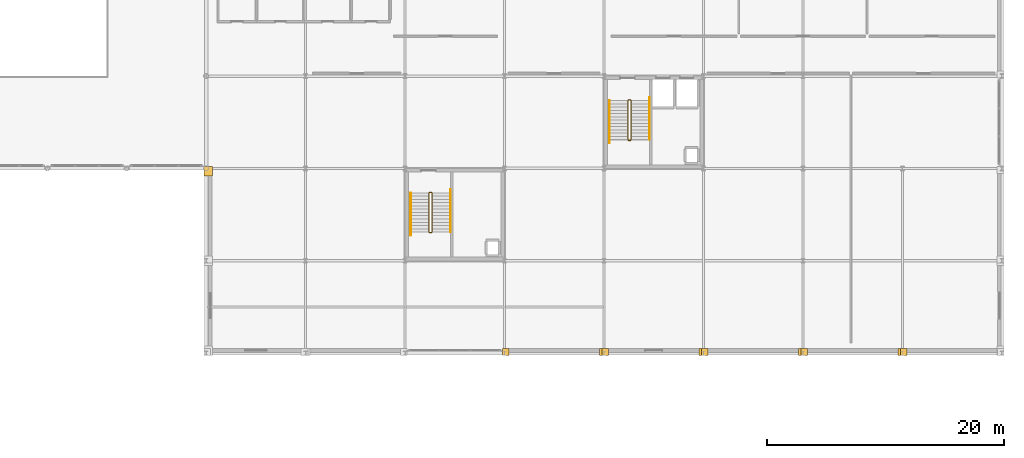
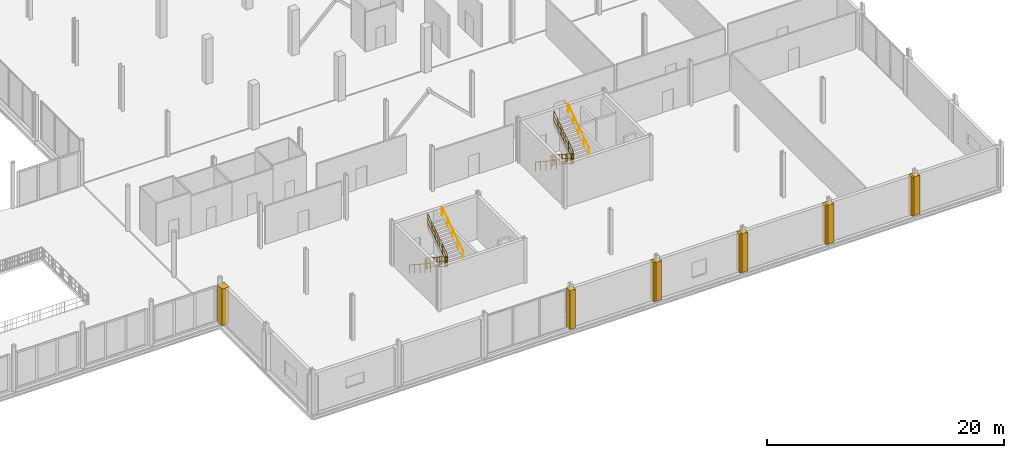
# One storey, part 95 of 98: 12 railings, 10 coverings.
"""IFC4 building model written with IfcOpenShell, lengths in metres."""

from ifc_helpers import new_model, si_unit, direction, frame, origin, origin_2d, place, context, subcontext, project, spatial, polyline, circle, outline, extrude, material, layer, layer_set, type_object, element, save


model = new_model("IFC4")

# Units and contexts
model_context = context("Model", 3, precision=1e-05, world=origin(), true_north=direction((0.0, 1.0)))
body_context = subcontext(model_context, "Body", "Model", "MODEL_VIEW")
ifc_project = project(units=[si_unit("LENGTHUNIT", "METRE"), si_unit("AREAUNIT", "SQUARE_METRE"), si_unit("VOLUMEUNIT", "CUBIC_METRE"), si_unit("PLANEANGLEUNIT", "RADIAN"), si_unit("MASSUNIT", "GRAM", prefix="KILO")], contexts=[model_context])

# Site, building, storey
site_placement = place(None, origin())
site = spatial("IfcSite", under=ifc_project, at=site_placement, CompositionType="ELEMENT")
building_placement = place(site_placement, origin())
building = spatial("IfcBuilding", under=site, at=building_placement, Name="Nabrawat Pavilion Hospital", CompositionType="ELEMENT")
storey_placement = place(building_placement, frame((0.0, 0.0, 10.199951171875)))
storey = spatial("IfcBuildingStorey", under=building, at=storey_placement, Name="L02", CompositionType="ELEMENT", Elevation=10.199951171875)

# Coverings
ifc_material_1 = material(Name="Precast concrete C40/50", Category="concrete")
ifc_layer_1 = layer(ifc_material_1, 0.360107421875, Name="Precast concrete C40/50")
ifc_layer_set_1 = layer_set([ifc_layer_1], Name="Precast concrete C40/50")
covering_type = type_object("IfcCoveringType", Name="Architectural Precast Column-Jamb Closure Reveal", PredefinedType="CLADDING", material=ifc_layer_set_1)
covering_1_placement = place(storey_placement, origin())
element("IfcCovering", 1, at=covering_1_placement, inside=storey, type_object=covering_type, Name="L02 Precast Facade Column-Jamb Weatherseal Closure 0372", PredefinedType="CLADDING", context=body_context, shape_type="SweptSolid", body=[
    extrude(outline(polyline([(126.52001953125, 14.97998046875), (126.52001953125, 15.780029296875), (125.820068359375, 15.780029296875), (125.820068359375, 14.97998046875), (126.52001953125, 14.97998046875)])), origin(), (0.0, 0.0, 1.0), 3.800048828125),
])
covering_2_placement = place(storey_placement, origin())
element("IfcCovering", 2, at=covering_2_placement, inside=storey, type_object=covering_type, Name="L02 Precast Facade Column-Jamb Weatherseal Closure 0377", PredefinedType="CLADDING", context=body_context, shape_type="SweptSolid", body=[
    extrude(outline(polyline([(151.580078125, -0.179931640625), (151.580078125, 0.39990234375), (151.02001953125, 0.39990234375), (151.02001953125, -0.179931640625), (151.580078125, -0.179931640625)])), origin(), (0.0, 0.0, 1.0), 4.0),
])
covering_3_placement = place(storey_placement, origin())
element("IfcCovering", 3, at=covering_3_placement, inside=storey, type_object=covering_type, Name="L02 Precast Facade Column-Jamb Weatherseal Closure 0378", PredefinedType="CLADDING", context=body_context, shape_type="SweptSolid", body=[
    extrude(outline(polyline([(159.780029296875, -0.179931640625), (159.780029296875, 0.39990234375), (159.219970703125, 0.39990234375), (159.219970703125, -0.179931640625), (159.780029296875, -0.179931640625)])), origin(), (0.0, 0.0, 1.0), 4.0),
])
covering_4_placement = place(storey_placement, origin())
element("IfcCovering", 4, at=covering_4_placement, inside=storey, type_object=covering_type, Name="L02 Precast Facade Column-Jamb Weatherseal Closure 0379", PredefinedType="CLADDING", context=body_context, shape_type="SweptSolid", body=[
    extrude(outline(polyline([(159.97998046875, -0.179931640625), (159.97998046875, 0.39990234375), (159.419921875, 0.39990234375), (159.419921875, -0.179931640625), (159.97998046875, -0.179931640625)])), origin(), (0.0, 0.0, 1.0), 4.0),
])
covering_5_placement = place(storey_placement, origin())
element("IfcCovering", 5, at=covering_5_placement, inside=storey, type_object=covering_type, Name="L02 Precast Facade Column-Jamb Weatherseal Closure 0380", PredefinedType="CLADDING", context=body_context, shape_type="SweptSolid", body=[
    extrude(outline(polyline([(168.179931640625, -0.179931640625), (168.179931640625, 0.39990234375), (167.6201171875, 0.39990234375), (167.6201171875, -0.179931640625), (168.179931640625, -0.179931640625)])), origin(), (0.0, 0.0, 1.0), 4.0),
])
covering_6_placement = place(storey_placement, origin())
element("IfcCovering", 6, at=covering_6_placement, inside=storey, type_object=covering_type, Name="L02 Precast Facade Column-Jamb Weatherseal Closure 0381", PredefinedType="CLADDING", context=body_context, shape_type="SweptSolid", body=[
    extrude(outline(polyline([(168.3798828125, -0.179931640625), (168.3798828125, 0.39990234375), (167.820068359375, 0.39990234375), (167.820068359375, -0.179931640625), (168.3798828125, -0.179931640625)])), origin(), (0.0, 0.0, 1.0), 4.0),
])
covering_7_placement = place(storey_placement, origin())
element("IfcCovering", 7, at=covering_7_placement, inside=storey, type_object=covering_type, Name="L02 Precast Facade Column-Jamb Weatherseal Closure 0382", PredefinedType="CLADDING", context=body_context, shape_type="SweptSolid", body=[
    extrude(outline(polyline([(176.580078125, -0.179931640625), (176.580078125, 0.39990234375), (176.02001953125, 0.39990234375), (176.02001953125, -0.179931640625), (176.580078125, -0.179931640625)])), origin(), (0.0, 0.0, 1.0), 4.0),
])
covering_8_placement = place(storey_placement, origin())
element("IfcCovering", 8, at=covering_8_placement, inside=storey, type_object=covering_type, Name="L02 Precast Facade Column-Jamb Weatherseal Closure 0383", PredefinedType="CLADDING", context=body_context, shape_type="SweptSolid", body=[
    extrude(outline(polyline([(176.780029296875, -0.179931640625), (176.780029296875, 0.39990234375), (176.219970703125, 0.39990234375), (176.219970703125, -0.179931640625), (176.780029296875, -0.179931640625)])), origin(), (0.0, 0.0, 1.0), 4.0),
])
covering_9_placement = place(storey_placement, origin())
element("IfcCovering", 9, at=covering_9_placement, inside=storey, type_object=covering_type, Name="L02 Precast Facade Column-Jamb Weatherseal Closure 0384", PredefinedType="CLADDING", context=body_context, shape_type="SweptSolid", body=[
    extrude(outline(polyline([(184.97998046875, -0.179931640625), (184.97998046875, 0.39990234375), (184.419921875, 0.39990234375), (184.419921875, -0.179931640625), (184.97998046875, -0.179931640625)])), origin(), (0.0, 0.0, 1.0), 4.0),
])
covering_10_placement = place(storey_placement, origin())
element("IfcCovering", 10, at=covering_10_placement, inside=storey, type_object=covering_type, Name="L02 Precast Facade Column-Jamb Weatherseal Closure 0385", PredefinedType="CLADDING", context=body_context, shape_type="SweptSolid", body=[
    extrude(outline(polyline([(185.179931640625, -0.179931640625), (185.179931640625, 0.39990234375), (184.6201171875, 0.39990234375), (184.6201171875, -0.179931640625), (185.179931640625, -0.179931640625)])), origin(), (0.0, 0.0, 1.0), 4.0),
])

# Railings
ifc_material_2 = material(Name="Stainless Steel 316", Category="steel")
ifc_layer_2 = layer(ifc_material_2, 0.050048828125, Name="Stainless Steel 316")
ifc_layer_set_2 = layer_set([ifc_layer_2], Name="Stainless Steel 316")
railing_type_1 = type_object("IfcRailingType", Name="Stair Open-Well Safety Guardrail 1100", PredefinedType="GUARDRAIL", material=ifc_layer_set_2)
railing_1_placement = place(storey_placement, frame((161.625, 21.330078125, 0.178955078125)))
element("IfcRailing", 11, at=railing_1_placement, inside=storey, type_object=railing_type_1, Name="L02 ST-04 stair guard 1", PredefinedType="GUARDRAIL", context=body_context, shape_type="SweptSolid", body=[
    extrude(circle(Radius=0.02392578125, at=origin_2d()), frame((0.0, 0.0, 1.076171875), z_axis=(0.0, -0.838331656441, 0.545160557825), x_axis=(1.0, 0.0, 0.0)), (0.0, 0.0, 1.0), 3.9365234375),
    extrude(circle(Radius=0.02392578125, at=origin_2d()), frame((0.0, 0.0, 0.10009765625), z_axis=(0.0, -0.838331656441, 0.545160557825), x_axis=(1.0, 0.0, 0.0)), (0.0, 0.0, 1.0), 3.9365234375),
    extrude(circle(Radius=0.02392578125, at=origin_2d()), frame((0.0, 0.0, 0.60498046875), z_axis=(0.0, -0.838331656441, 0.545160557825), x_axis=(1.0, 0.0, 0.0)), (0.0, 0.0, 1.0), 3.9365234375),
    extrude(circle(Radius=0.008056640625, at=origin_2d()), frame((0.0, -0.194091796875, 0.226318359375)), (0.0, 0.0, 1.0), 0.951904296875),
    extrude(circle(Radius=0.008056640625, at=origin_2d()), frame((0.0, -0.38818359375, 0.3525390625)), (0.0, 0.0, 1.0), 0.951904296875),
    extrude(circle(Radius=0.008056640625, at=origin_2d()), frame((0.0, -0.582275390625, 0.478759765625)), (0.0, 0.0, 1.0), 0.951904296875),
    extrude(circle(Radius=0.008056640625, at=origin_2d()), frame((0.0, -0.7763671875, 0.60498046875)), (0.0, 0.0, 1.0), 0.951904296875),
    extrude(circle(Radius=0.008056640625, at=origin_2d()), frame((0.0, -0.970703125, 0.731201171875)), (0.0, 0.0, 1.0), 0.951904296875),
    extrude(circle(Radius=0.008056640625, at=origin_2d()), frame((0.0, -1.164794921875, 0.857421875)), (0.0, 0.0, 1.0), 0.951904296875),
    extrude(circle(Radius=0.008056640625, at=origin_2d()), frame((0.0, -1.35888671875, 0.983642578125)), (0.0, 0.0, 1.0), 0.951904296875),
    extrude(circle(Radius=0.008056640625, at=origin_2d()), frame((0.0, -1.552978515625, 1.10986328125)), (0.0, 0.0, 1.0), 0.951904296875),
    extrude(circle(Radius=0.008056640625, at=origin_2d()), frame((0.0, -1.7470703125, 1.236083984375)), (0.0, 0.0, 1.0), 0.951904296875),
    extrude(circle(Radius=0.008056640625, at=origin_2d()), frame((0.0, -1.941162109375, 1.3623046875)), (0.0, 0.0, 1.0), 0.951904296875),
    extrude(circle(Radius=0.008056640625, at=origin_2d()), frame((0.0, -2.13525390625, 1.488525390625)), (0.0, 0.0, 1.0), 0.951904296875),
    extrude(circle(Radius=0.008056640625, at=origin_2d()), frame((0.0, -2.329345703125, 1.61474609375)), (0.0, 0.0, 1.0), 0.951904296875),
    extrude(circle(Radius=0.008056640625, at=origin_2d()), frame((0.0, -2.523681640625, 1.740966796875)), (0.0, 0.0, 1.0), 0.951904296875),
    extrude(circle(Radius=0.008056640625, at=origin_2d()), frame((0.0, -2.7177734375, 1.8671875)), (0.0, 0.0, 1.0), 0.951904296875),
    extrude(circle(Radius=0.008056640625, at=origin_2d()), frame((0.0, -2.911865234375, 1.993408203125)), (0.0, 0.0, 1.0), 0.951904296875),
    extrude(circle(Radius=0.008056640625, at=origin_2d()), frame((0.0, -3.10595703125, 2.119873046875)), (0.0, 0.0, 1.0), 0.951904296875),
    extrude(circle(Radius=0.02099609375, at=origin_2d()), origin(), (0.0, 0.0, 1.0), 1.052001953125),
    extrude(circle(Radius=0.02099609375, at=origin_2d()), frame((0.0, -0.824951171875, 0.53662109375)), (0.0, 0.0, 1.0), 1.052001953125),
    extrude(circle(Radius=0.02099609375, at=origin_2d()), frame((0.0, -1.64990234375, 1.072998046875)), (0.0, 0.0, 1.0), 1.052001953125),
    extrude(circle(Radius=0.02099609375, at=origin_2d()), frame((0.0, -2.47509765625, 1.609375)), (0.0, 0.0, 1.0), 1.052001953125),
    extrude(circle(Radius=0.02099609375, at=origin_2d()), frame((0.0, -3.300048828125, 2.14599609375)), (0.0, 0.0, 1.0), 1.052001953125),
])
railing_2_placement = place(storey_placement, frame((161.64990234375, 17.97998046875, 2.324951171875)))
element("IfcRailing", 12, at=railing_2_placement, inside=storey, type_object=railing_type_1, Name="L02 ST-04 stair guard 2", PredefinedType="GUARDRAIL", context=body_context, shape_type="SweptSolid", body=[
    extrude(circle(Radius=0.02392578125, at=origin_2d()), frame((0.0, 0.0, 1.076171875), z_axis=(1.0, 0.0, 0.0), x_axis=(0.0, 1.0, 0.0)), (0.0, 0.0, 1.0), 0.2001953125),
    extrude(circle(Radius=0.02392578125, at=origin_2d()), frame((0.0, 0.0, 0.10009765625), z_axis=(1.0, 0.0, 0.0), x_axis=(0.0, 1.0, 0.0)), (0.0, 0.0, 1.0), 0.2001953125),
    extrude(circle(Radius=0.02392578125, at=origin_2d()), frame((0.0, 0.0, 0.60498046875), z_axis=(1.0, 0.0, 0.0), x_axis=(0.0, 1.0, 0.0)), (0.0, 0.0, 1.0), 0.2001953125),
    extrude(circle(Radius=0.008056640625, at=origin_2d()), frame((0.10009765625, 0.0, 0.10009765625)), (0.0, 0.0, 1.0), 0.951904296875),
    extrude(circle(Radius=0.02099609375, at=origin_2d()), origin(), (0.0, 0.0, 1.0), 1.052001953125),
    extrude(circle(Radius=0.02099609375, at=origin_2d()), frame((0.2001953125, 0.0, 0.0)), (0.0, 0.0, 1.0), 1.052001953125),
])
railing_3_placement = place(storey_placement, frame((161.875, 18.030029296875, 2.50390625)))
element("IfcRailing", 13, at=railing_3_placement, inside=storey, type_object=railing_type_1, Name="L02 ST-04 stair guard 3", PredefinedType="GUARDRAIL", context=body_context, shape_type="SweptSolid", body=[
    extrude(circle(Radius=0.02392578125, at=origin_2d()), frame((0.0, 0.0, 1.076171875), z_axis=(0.0, 0.838303311307, 0.545204143649), x_axis=(-1.0, 0.0, 0.0)), (0.0, 0.0, 1.0), 3.9365234375),
    extrude(circle(Radius=0.02392578125, at=origin_2d()), frame((0.0, 0.0, 0.10009765625), z_axis=(0.0, 0.838303311307, 0.545204143649), x_axis=(-1.0, 0.0, 0.0)), (0.0, 0.0, 1.0), 3.9365234375),
    extrude(circle(Radius=0.02392578125, at=origin_2d()), frame((0.0, 0.0, 0.60498046875), z_axis=(0.0, 0.838303311307, 0.545204143649), x_axis=(-1.0, 0.0, 0.0)), (0.0, 0.0, 1.0), 3.9365234375),
    extrude(circle(Radius=0.008056640625, at=origin_2d()), frame((0.0, 0.194091796875, 0.226318359375)), (0.0, 0.0, 1.0), 0.951904296875),
    extrude(circle(Radius=0.008056640625, at=origin_2d()), frame((0.0, 0.38818359375, 0.3525390625)), (0.0, 0.0, 1.0), 0.951904296875),
    extrude(circle(Radius=0.008056640625, at=origin_2d()), frame((0.0, 0.582275390625, 0.478759765625)), (0.0, 0.0, 1.0), 0.951904296875),
    extrude(circle(Radius=0.008056640625, at=origin_2d()), frame((0.0, 0.7763671875, 0.60498046875)), (0.0, 0.0, 1.0), 0.951904296875),
    extrude(circle(Radius=0.008056640625, at=origin_2d()), frame((0.0, 0.970703125, 0.731201171875)), (0.0, 0.0, 1.0), 0.951904296875),
    extrude(circle(Radius=0.008056640625, at=origin_2d()), frame((0.0, 1.164794921875, 0.857421875)), (0.0, 0.0, 1.0), 0.951904296875),
    extrude(circle(Radius=0.008056640625, at=origin_2d()), frame((0.0, 1.35888671875, 0.983642578125)), (0.0, 0.0, 1.0), 0.951904296875),
    extrude(circle(Radius=0.008056640625, at=origin_2d()), frame((0.0, 1.552978515625, 1.110107421875)), (0.0, 0.0, 1.0), 0.951904296875),
    extrude(circle(Radius=0.008056640625, at=origin_2d()), frame((0.0, 1.7470703125, 1.236328125)), (0.0, 0.0, 1.0), 0.951904296875),
    extrude(circle(Radius=0.008056640625, at=origin_2d()), frame((0.0, 1.941162109375, 1.362548828125)), (0.0, 0.0, 1.0), 0.951904296875),
    extrude(circle(Radius=0.008056640625, at=origin_2d()), frame((0.0, 2.13525390625, 1.48876953125)), (0.0, 0.0, 1.0), 0.951904296875),
    extrude(circle(Radius=0.008056640625, at=origin_2d()), frame((0.0, 2.329345703125, 1.614990234375)), (0.0, 0.0, 1.0), 0.951904296875),
    extrude(circle(Radius=0.008056640625, at=origin_2d()), frame((0.0, 2.523681640625, 1.7412109375)), (0.0, 0.0, 1.0), 0.951904296875),
    extrude(circle(Radius=0.008056640625, at=origin_2d()), frame((0.0, 2.7177734375, 1.867431640625)), (0.0, 0.0, 1.0), 0.951904296875),
    extrude(circle(Radius=0.008056640625, at=origin_2d()), frame((0.0, 2.911865234375, 1.99365234375)), (0.0, 0.0, 1.0), 0.951904296875),
    extrude(circle(Radius=0.008056640625, at=origin_2d()), frame((0.0, 3.10595703125, 2.119873046875)), (0.0, 0.0, 1.0), 0.951904296875),
    extrude(circle(Radius=0.02099609375, at=origin_2d()), origin(), (0.0, 0.0, 1.0), 1.052001953125),
    extrude(circle(Radius=0.02099609375, at=origin_2d()), frame((0.0, 0.824951171875, 0.53662109375)), (0.0, 0.0, 1.0), 1.052001953125),
    extrude(circle(Radius=0.02099609375, at=origin_2d()), frame((0.0, 1.64990234375, 1.0732421875)), (0.0, 0.0, 1.0), 1.052001953125),
    extrude(circle(Radius=0.02099609375, at=origin_2d()), frame((0.0, 2.47509765625, 1.609619140625)), (0.0, 0.0, 1.0), 1.052001953125),
    extrude(circle(Radius=0.02099609375, at=origin_2d()), frame((0.0, 3.300048828125, 2.146240234375)), (0.0, 0.0, 1.0), 1.052001953125),
])
railing_4_placement = place(storey_placement, frame((161.64990234375, 21.3798828125, 0.0)))
element("IfcRailing", 14, at=railing_4_placement, inside=storey, type_object=railing_type_1, Name="L02 ST-04 stair guard 4", PredefinedType="GUARDRAIL", context=body_context, shape_type="SweptSolid", body=[
    extrude(circle(Radius=0.02392578125, at=origin_2d()), frame((0.0, 0.0, 1.076171875), z_axis=(1.0, 0.0, 0.0), x_axis=(0.0, 1.0, 0.0)), (0.0, 0.0, 1.0), 0.2001953125),
    extrude(circle(Radius=0.02392578125, at=origin_2d()), frame((0.0, 0.0, 0.10009765625), z_axis=(1.0, 0.0, 0.0), x_axis=(0.0, 1.0, 0.0)), (0.0, 0.0, 1.0), 0.2001953125),
    extrude(circle(Radius=0.02392578125, at=origin_2d()), frame((0.0, 0.0, 0.60498046875), z_axis=(1.0, 0.0, 0.0), x_axis=(0.0, 1.0, 0.0)), (0.0, 0.0, 1.0), 0.2001953125),
    extrude(circle(Radius=0.008056640625, at=origin_2d()), frame((0.10009765625, 0.0, 0.10009765625)), (0.0, 0.0, 1.0), 0.951904296875),
    extrude(circle(Radius=0.02099609375, at=origin_2d()), origin(), (0.0, 0.0, 1.0), 1.052001953125),
    extrude(circle(Radius=0.02099609375, at=origin_2d()), frame((0.2001953125, 0.0, 0.0)), (0.0, 0.0, 1.0), 1.052001953125),
])
railing_5_placement = place(storey_placement, frame((144.824951171875, 13.530029296875, 0.178955078125)))
element("IfcRailing", 15, at=railing_5_placement, inside=storey, type_object=railing_type_1, Name="L02 ST-08 stair guard 1", PredefinedType="GUARDRAIL", context=body_context, shape_type="SweptSolid", body=[
    extrude(circle(Radius=0.02392578125, at=origin_2d()), frame((0.0, 0.0, 1.076171875), z_axis=(0.0, -0.838331656441, 0.545160557825), x_axis=(1.0, 0.0, 0.0)), (0.0, 0.0, 1.0), 3.9365234375),
    extrude(circle(Radius=0.02392578125, at=origin_2d()), frame((0.0, 0.0, 0.10009765625), z_axis=(0.0, -0.838331656441, 0.545160557825), x_axis=(1.0, 0.0, 0.0)), (0.0, 0.0, 1.0), 3.9365234375),
    extrude(circle(Radius=0.02392578125, at=origin_2d()), frame((0.0, 0.0, 0.60498046875), z_axis=(0.0, -0.838331656441, 0.545160557825), x_axis=(1.0, 0.0, 0.0)), (0.0, 0.0, 1.0), 3.9365234375),
    extrude(circle(Radius=0.008056640625, at=origin_2d()), frame((0.0, -0.194091796875, 0.226318359375)), (0.0, 0.0, 1.0), 0.951904296875),
    extrude(circle(Radius=0.008056640625, at=origin_2d()), frame((0.0, -0.38818359375, 0.3525390625)), (0.0, 0.0, 1.0), 0.951904296875),
    extrude(circle(Radius=0.008056640625, at=origin_2d()), frame((0.0, -0.582275390625, 0.478759765625)), (0.0, 0.0, 1.0), 0.951904296875),
    extrude(circle(Radius=0.008056640625, at=origin_2d()), frame((0.0, -0.7763671875, 0.60498046875)), (0.0, 0.0, 1.0), 0.951904296875),
    extrude(circle(Radius=0.008056640625, at=origin_2d()), frame((0.0, -0.970703125, 0.731201171875)), (0.0, 0.0, 1.0), 0.951904296875),
    extrude(circle(Radius=0.008056640625, at=origin_2d()), frame((0.0, -1.164794921875, 0.857421875)), (0.0, 0.0, 1.0), 0.951904296875),
    extrude(circle(Radius=0.008056640625, at=origin_2d()), frame((0.0, -1.35888671875, 0.983642578125)), (0.0, 0.0, 1.0), 0.951904296875),
    extrude(circle(Radius=0.008056640625, at=origin_2d()), frame((0.0, -1.552978515625, 1.10986328125)), (0.0, 0.0, 1.0), 0.951904296875),
    extrude(circle(Radius=0.008056640625, at=origin_2d()), frame((0.0, -1.7470703125, 1.236083984375)), (0.0, 0.0, 1.0), 0.951904296875),
    extrude(circle(Radius=0.008056640625, at=origin_2d()), frame((0.0, -1.941162109375, 1.3623046875)), (0.0, 0.0, 1.0), 0.951904296875),
    extrude(circle(Radius=0.008056640625, at=origin_2d()), frame((0.0, -2.13525390625, 1.488525390625)), (0.0, 0.0, 1.0), 0.951904296875),
    extrude(circle(Radius=0.008056640625, at=origin_2d()), frame((0.0, -2.329345703125, 1.61474609375)), (0.0, 0.0, 1.0), 0.951904296875),
    extrude(circle(Radius=0.008056640625, at=origin_2d()), frame((0.0, -2.523681640625, 1.740966796875)), (0.0, 0.0, 1.0), 0.951904296875),
    extrude(circle(Radius=0.008056640625, at=origin_2d()), frame((0.0, -2.7177734375, 1.8671875)), (0.0, 0.0, 1.0), 0.951904296875),
    extrude(circle(Radius=0.008056640625, at=origin_2d()), frame((0.0, -2.911865234375, 1.993408203125)), (0.0, 0.0, 1.0), 0.951904296875),
    extrude(circle(Radius=0.008056640625, at=origin_2d()), frame((0.0, -3.10595703125, 2.119873046875)), (0.0, 0.0, 1.0), 0.951904296875),
    extrude(circle(Radius=0.02099609375, at=origin_2d()), origin(), (0.0, 0.0, 1.0), 1.052001953125),
    extrude(circle(Radius=0.02099609375, at=origin_2d()), frame((0.0, -0.824951171875, 0.53662109375)), (0.0, 0.0, 1.0), 1.052001953125),
    extrude(circle(Radius=0.02099609375, at=origin_2d()), frame((0.0, -1.64990234375, 1.072998046875)), (0.0, 0.0, 1.0), 1.052001953125),
    extrude(circle(Radius=0.02099609375, at=origin_2d()), frame((0.0, -2.47509765625, 1.609375)), (0.0, 0.0, 1.0), 1.052001953125),
    extrude(circle(Radius=0.02099609375, at=origin_2d()), frame((0.0, -3.300048828125, 2.14599609375)), (0.0, 0.0, 1.0), 1.052001953125),
])
railing_6_placement = place(storey_placement, frame((144.85009765625, 10.179931640625, 2.324951171875)))
element("IfcRailing", 16, at=railing_6_placement, inside=storey, type_object=railing_type_1, Name="L02 ST-08 stair guard 2", PredefinedType="GUARDRAIL", context=body_context, shape_type="SweptSolid", body=[
    extrude(circle(Radius=0.02392578125, at=origin_2d()), frame((0.0, 0.0, 1.076171875), z_axis=(1.0, 0.0, 0.0), x_axis=(0.0, 1.0, 0.0)), (0.0, 0.0, 1.0), 0.199951171875),
    extrude(circle(Radius=0.02392578125, at=origin_2d()), frame((0.0, 0.0, 0.10009765625), z_axis=(1.0, 0.0, 0.0), x_axis=(0.0, 1.0, 0.0)), (0.0, 0.0, 1.0), 0.199951171875),
    extrude(circle(Radius=0.02392578125, at=origin_2d()), frame((0.0, 0.0, 0.60498046875), z_axis=(1.0, 0.0, 0.0), x_axis=(0.0, 1.0, 0.0)), (0.0, 0.0, 1.0), 0.199951171875),
    extrude(circle(Radius=0.008056640625, at=origin_2d()), frame((0.10009765625, 0.0, 0.10009765625)), (0.0, 0.0, 1.0), 0.951904296875),
    extrude(circle(Radius=0.02099609375, at=origin_2d()), origin(), (0.0, 0.0, 1.0), 1.052001953125),
    extrude(circle(Radius=0.02099609375, at=origin_2d()), frame((0.199951171875, 0.0, 0.0)), (0.0, 0.0, 1.0), 1.052001953125),
])
railing_7_placement = place(storey_placement, frame((145.074951171875, 10.22998046875, 2.50390625)))
element("IfcRailing", 17, at=railing_7_placement, inside=storey, type_object=railing_type_1, Name="L02 ST-08 stair guard 3", PredefinedType="GUARDRAIL", context=body_context, shape_type="SweptSolid", body=[
    extrude(circle(Radius=0.02392578125, at=origin_2d()), frame((0.0, 0.0, 1.076171875), z_axis=(0.0, 0.838303311307, 0.545204143649), x_axis=(-1.0, 0.0, 0.0)), (0.0, 0.0, 1.0), 3.9365234375),
    extrude(circle(Radius=0.02392578125, at=origin_2d()), frame((0.0, 0.0, 0.10009765625), z_axis=(0.0, 0.838303311307, 0.545204143649), x_axis=(-1.0, 0.0, 0.0)), (0.0, 0.0, 1.0), 3.9365234375),
    extrude(circle(Radius=0.02392578125, at=origin_2d()), frame((0.0, 0.0, 0.60498046875), z_axis=(0.0, 0.838303311307, 0.545204143649), x_axis=(-1.0, 0.0, 0.0)), (0.0, 0.0, 1.0), 3.9365234375),
    extrude(circle(Radius=0.008056640625, at=origin_2d()), frame((0.0, 0.194091796875, 0.226318359375)), (0.0, 0.0, 1.0), 0.951904296875),
    extrude(circle(Radius=0.008056640625, at=origin_2d()), frame((0.0, 0.38818359375, 0.3525390625)), (0.0, 0.0, 1.0), 0.951904296875),
    extrude(circle(Radius=0.008056640625, at=origin_2d()), frame((0.0, 0.582275390625, 0.478759765625)), (0.0, 0.0, 1.0), 0.951904296875),
    extrude(circle(Radius=0.008056640625, at=origin_2d()), frame((0.0, 0.7763671875, 0.60498046875)), (0.0, 0.0, 1.0), 0.951904296875),
    extrude(circle(Radius=0.008056640625, at=origin_2d()), frame((0.0, 0.970703125, 0.731201171875)), (0.0, 0.0, 1.0), 0.951904296875),
    extrude(circle(Radius=0.008056640625, at=origin_2d()), frame((0.0, 1.164794921875, 0.857421875)), (0.0, 0.0, 1.0), 0.951904296875),
    extrude(circle(Radius=0.008056640625, at=origin_2d()), frame((0.0, 1.35888671875, 0.983642578125)), (0.0, 0.0, 1.0), 0.951904296875),
    extrude(circle(Radius=0.008056640625, at=origin_2d()), frame((0.0, 1.552978515625, 1.110107421875)), (0.0, 0.0, 1.0), 0.951904296875),
    extrude(circle(Radius=0.008056640625, at=origin_2d()), frame((0.0, 1.7470703125, 1.236328125)), (0.0, 0.0, 1.0), 0.951904296875),
    extrude(circle(Radius=0.008056640625, at=origin_2d()), frame((0.0, 1.941162109375, 1.362548828125)), (0.0, 0.0, 1.0), 0.951904296875),
    extrude(circle(Radius=0.008056640625, at=origin_2d()), frame((0.0, 2.13525390625, 1.48876953125)), (0.0, 0.0, 1.0), 0.951904296875),
    extrude(circle(Radius=0.008056640625, at=origin_2d()), frame((0.0, 2.329345703125, 1.614990234375)), (0.0, 0.0, 1.0), 0.951904296875),
    extrude(circle(Radius=0.008056640625, at=origin_2d()), frame((0.0, 2.523681640625, 1.7412109375)), (0.0, 0.0, 1.0), 0.951904296875),
    extrude(circle(Radius=0.008056640625, at=origin_2d()), frame((0.0, 2.7177734375, 1.867431640625)), (0.0, 0.0, 1.0), 0.951904296875),
    extrude(circle(Radius=0.008056640625, at=origin_2d()), frame((0.0, 2.911865234375, 1.99365234375)), (0.0, 0.0, 1.0), 0.951904296875),
    extrude(circle(Radius=0.008056640625, at=origin_2d()), frame((0.0, 3.10595703125, 2.119873046875)), (0.0, 0.0, 1.0), 0.951904296875),
    extrude(circle(Radius=0.02099609375, at=origin_2d()), origin(), (0.0, 0.0, 1.0), 1.052001953125),
    extrude(circle(Radius=0.02099609375, at=origin_2d()), frame((0.0, 0.824951171875, 0.53662109375)), (0.0, 0.0, 1.0), 1.052001953125),
    extrude(circle(Radius=0.02099609375, at=origin_2d()), frame((0.0, 1.64990234375, 1.0732421875)), (0.0, 0.0, 1.0), 1.052001953125),
    extrude(circle(Radius=0.02099609375, at=origin_2d()), frame((0.0, 2.47509765625, 1.609619140625)), (0.0, 0.0, 1.0), 1.052001953125),
    extrude(circle(Radius=0.02099609375, at=origin_2d()), frame((0.0, 3.300048828125, 2.146240234375)), (0.0, 0.0, 1.0), 1.052001953125),
])
railing_8_placement = place(storey_placement, frame((144.85009765625, 13.580078125, 0.0)))
element("IfcRailing", 18, at=railing_8_placement, inside=storey, type_object=railing_type_1, Name="L02 ST-08 stair guard 4", PredefinedType="GUARDRAIL", context=body_context, shape_type="SweptSolid", body=[
    extrude(circle(Radius=0.02392578125, at=origin_2d()), frame((0.0, 0.0, 1.076171875), z_axis=(1.0, 0.0, 0.0), x_axis=(0.0, 1.0, 0.0)), (0.0, 0.0, 1.0), 0.199951171875),
    extrude(circle(Radius=0.02392578125, at=origin_2d()), frame((0.0, 0.0, 0.10009765625), z_axis=(1.0, 0.0, 0.0), x_axis=(0.0, 1.0, 0.0)), (0.0, 0.0, 1.0), 0.199951171875),
    extrude(circle(Radius=0.02392578125, at=origin_2d()), frame((0.0, 0.0, 0.60498046875), z_axis=(1.0, 0.0, 0.0), x_axis=(0.0, 1.0, 0.0)), (0.0, 0.0, 1.0), 0.199951171875),
    extrude(circle(Radius=0.008056640625, at=origin_2d()), frame((0.10009765625, 0.0, 0.10009765625)), (0.0, 0.0, 1.0), 0.951904296875),
    extrude(circle(Radius=0.02099609375, at=origin_2d()), origin(), (0.0, 0.0, 1.0), 1.052001953125),
    extrude(circle(Radius=0.02099609375, at=origin_2d()), frame((0.199951171875, 0.0, 0.0)), (0.0, 0.0, 1.0), 1.052001953125),
])
ifc_layer_3 = layer(ifc_material_2, 0.044921875, Name="Stainless Steel 316")
ifc_layer_set_3 = layer_set([ifc_layer_3], Name="Stainless Steel 316")
railing_type_2 = type_object("IfcRailingType", Name="Stair Pitch Continuous Handrail 920", PredefinedType="HANDRAIL", material=ifc_layer_set_3)
railing_9_placement = place(storey_placement, frame((160.074951171875, 21.330078125, 0.182861328125)))
element("IfcRailing", 19, at=railing_9_placement, inside=storey, type_object=railing_type_2, Name="L02 ST-04 stair handrail 1", PredefinedType="HANDRAIL", context=body_context, shape_type="SweptSolid", body=[
    extrude(circle(Radius=0.02392578125, at=origin_2d()), frame((0.0, 0.0, 0.89599609375), z_axis=(0.0, -0.838328499472, 0.545165412488), x_axis=(1.0, 0.0, 0.0)), (0.0, 0.0, 1.0), 4.2646484375),
    extrude(circle(Radius=0.02099609375, at=origin_2d()), origin(), (0.0, 0.0, 1.0), 0.871826171875),
    extrude(circle(Radius=0.02099609375, at=origin_2d()), frame((0.0, -0.893798828125, 0.581298828125)), (0.0, 0.0, 1.0), 0.871826171875),
    extrude(circle(Radius=0.02099609375, at=origin_2d()), frame((0.0, -1.78759765625, 1.16259765625)), (0.0, 0.0, 1.0), 0.871826171875),
    extrude(circle(Radius=0.02099609375, at=origin_2d()), frame((0.0, -2.681396484375, 1.74365234375)), (0.0, 0.0, 1.0), 0.871826171875),
    extrude(circle(Radius=0.02099609375, at=origin_2d()), frame((0.0, -3.5751953125, 2.324951171875)), (0.0, 0.0, 1.0), 0.871826171875),
])
railing_10_placement = place(storey_placement, frame((163.425048828125, 18.030029296875, 2.5078125)))
element("IfcRailing", 20, at=railing_10_placement, inside=storey, type_object=railing_type_2, Name="L02 ST-04 stair handrail 2", PredefinedType="HANDRAIL", context=body_context, shape_type="SweptSolid", body=[
    extrude(circle(Radius=0.02392578125, at=origin_2d()), frame((0.0, 0.0, 0.89599609375), z_axis=(0.0, 0.838311484064, 0.54519157705), x_axis=(-1.0, 0.0, 0.0)), (0.0, 0.0, 1.0), 4.264404296875),
    extrude(circle(Radius=0.02099609375, at=origin_2d()), origin(), (0.0, 0.0, 1.0), 0.871826171875),
    extrude(circle(Radius=0.02099609375, at=origin_2d()), frame((0.0, 0.893798828125, 0.581298828125)), (0.0, 0.0, 1.0), 0.871826171875),
    extrude(circle(Radius=0.02099609375, at=origin_2d()), frame((0.0, 1.78759765625, 1.16259765625)), (0.0, 0.0, 1.0), 0.871826171875),
    extrude(circle(Radius=0.02099609375, at=origin_2d()), frame((0.0, 2.68115234375, 1.74365234375)), (0.0, 0.0, 1.0), 0.871826171875),
    extrude(circle(Radius=0.02099609375, at=origin_2d()), frame((0.0, 3.574951171875, 2.324951171875)), (0.0, 0.0, 1.0), 0.871826171875),
])
railing_11_placement = place(storey_placement, frame((143.27490234375, 13.530029296875, 0.182861328125)))
element("IfcRailing", 21, at=railing_11_placement, inside=storey, type_object=railing_type_2, Name="L02 ST-08 stair handrail 1", PredefinedType="HANDRAIL", context=body_context, shape_type="SweptSolid", body=[
    extrude(circle(Radius=0.02392578125, at=origin_2d()), frame((0.0, 0.0, 0.89599609375), z_axis=(0.0, -0.838311484064, 0.54519157705), x_axis=(1.0, 0.0, 0.0)), (0.0, 0.0, 1.0), 4.264404296875),
    extrude(circle(Radius=0.02099609375, at=origin_2d()), origin(), (0.0, 0.0, 1.0), 0.871826171875),
    extrude(circle(Radius=0.02099609375, at=origin_2d()), frame((0.0, -0.893798828125, 0.581298828125)), (0.0, 0.0, 1.0), 0.871826171875),
    extrude(circle(Radius=0.02099609375, at=origin_2d()), frame((0.0, -1.78759765625, 1.16259765625)), (0.0, 0.0, 1.0), 0.871826171875),
    extrude(circle(Radius=0.02099609375, at=origin_2d()), frame((0.0, -2.68115234375, 1.74365234375)), (0.0, 0.0, 1.0), 0.871826171875),
    extrude(circle(Radius=0.02099609375, at=origin_2d()), frame((0.0, -3.574951171875, 2.324951171875)), (0.0, 0.0, 1.0), 0.871826171875),
])
railing_12_placement = place(storey_placement, frame((146.625, 10.22998046875, 2.5078125)))
element("IfcRailing", 22, at=railing_12_placement, inside=storey, type_object=railing_type_2, Name="L02 ST-08 stair handrail 2", PredefinedType="HANDRAIL", context=body_context, shape_type="SweptSolid", body=[
    extrude(circle(Radius=0.02392578125, at=origin_2d()), frame((0.0, 0.0, 0.89599609375), z_axis=(0.0, 0.838311484064, 0.54519157705), x_axis=(-1.0, 0.0, 0.0)), (0.0, 0.0, 1.0), 4.264404296875),
    extrude(circle(Radius=0.02099609375, at=origin_2d()), origin(), (0.0, 0.0, 1.0), 0.871826171875),
    extrude(circle(Radius=0.02099609375, at=origin_2d()), frame((0.0, 0.893798828125, 0.581298828125)), (0.0, 0.0, 1.0), 0.871826171875),
    extrude(circle(Radius=0.02099609375, at=origin_2d()), frame((0.0, 1.78759765625, 1.16259765625)), (0.0, 0.0, 1.0), 0.871826171875),
    extrude(circle(Radius=0.02099609375, at=origin_2d()), frame((0.0, 2.68115234375, 1.74365234375)), (0.0, 0.0, 1.0), 0.871826171875),
    extrude(circle(Radius=0.02099609375, at=origin_2d()), frame((0.0, 3.574951171875, 2.324951171875)), (0.0, 0.0, 1.0), 0.871826171875),
])

save(model, "model.ifc")
